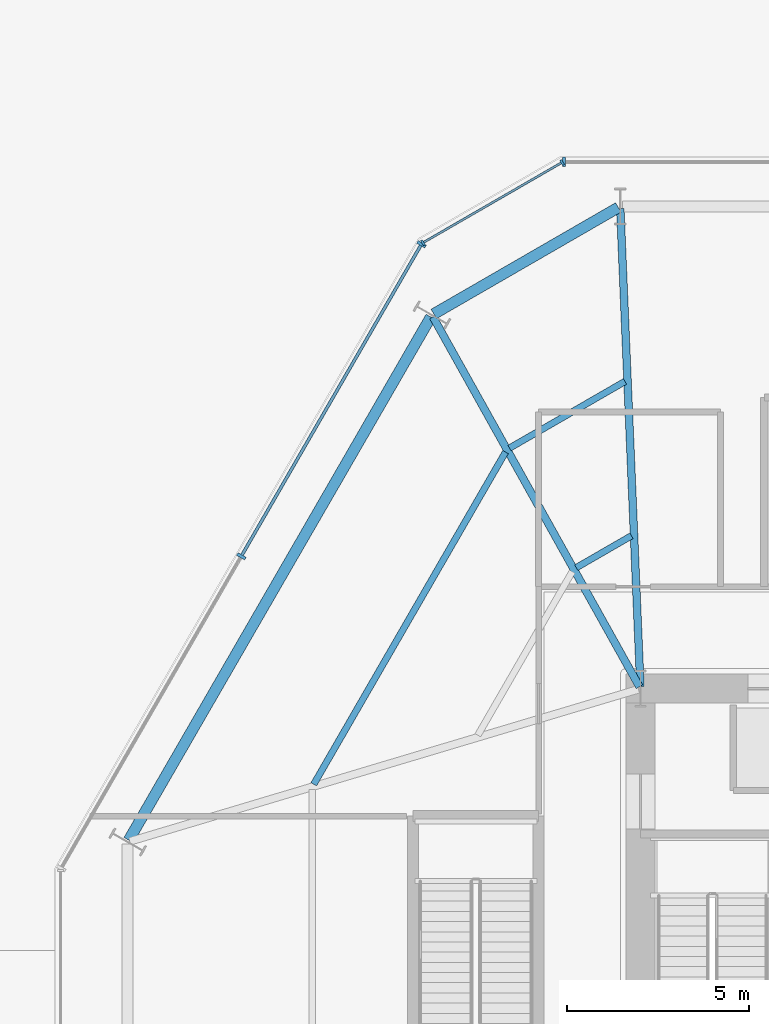
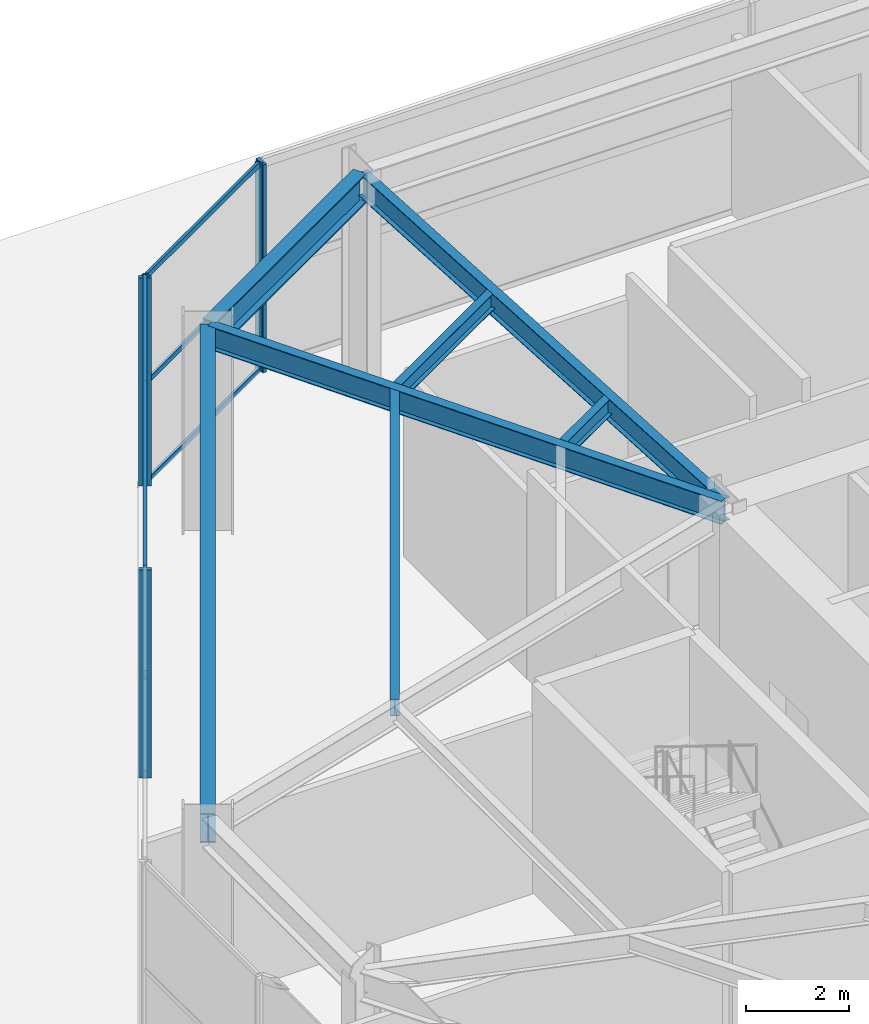
# One storey, part 12 of 26: 11 members, 7 beams, 3 elements without a shape of their own.
"""IFC4 building model written with IfcOpenShell, lengths in metres."""

from ifc_helpers import new_model, si_unit, direction, frame, origin, origin_2d, place, context, subcontext, project, spatial, rectangle, i_section, extrude, material, layer, layer_set, material_profile, profile_set, type_object, element, aggregate, save


model = new_model("IFC4")

# Units and contexts
model_context = context("Model", 3, precision=1e-05, world=origin(), true_north=direction((0.0, 1.0)))
body_context = subcontext(model_context, "Body", "Model", "MODEL_VIEW")
ifc_project = project(units=[si_unit("LENGTHUNIT", "METRE"), si_unit("AREAUNIT", "SQUARE_METRE"), si_unit("VOLUMEUNIT", "CUBIC_METRE"), si_unit("PLANEANGLEUNIT", "RADIAN"), si_unit("MASSUNIT", "GRAM", prefix="KILO")], contexts=[model_context])

# Site, building, storey
site_placement = place(None, origin())
site = spatial("IfcSite", under=ifc_project, at=site_placement, CompositionType="ELEMENT")
building_placement = place(site_placement, origin())
building = spatial("IfcBuilding", under=site, at=building_placement, Name="Kranzbogen Civic Tower", CompositionType="ELEMENT")
storey_placement = place(building_placement, origin())
storey = spatial("IfcBuildingStorey", under=building, at=storey_placement, Name="L00", CompositionType="ELEMENT", Elevation=0.0)

# Curtain wall, members
ifc_material_1 = material(Name="Pale Anodised Aluminium", Category="aluminium")
ifc_layer_1 = layer(ifc_material_1, 0.219970703125, Name="Pale Anodised Aluminium")
ifc_layer_set_1 = layer_set([ifc_layer_1], Name="Pale Anodised Aluminium")
curtain_wall_type_1 = type_object("IfcCurtainWallType", Name="Chamfer Facet Stick Curtain Wall System CW-06", PredefinedType="USERDEFINED", material=ifc_layer_set_1)
curtain_wall_1_placement = place(storey_placement, origin())
curtain_wall_1 = element("IfcCurtainWall", 1, at=curtain_wall_1_placement, inside=storey, type_object=curtain_wall_type_1, Name="L00 curtain wall CW-L00-C2", ObjectType="STICK CURTAIN WALL", PredefinedType="USERDEFINED")
ifc_material_profile_1 = material_profile(ifc_material_1, rectangle(XDim=0.06005859375, YDim=0.159912109375, at=origin_2d()), Name="ALU-M 60x160")
ifc_profile_set_1 = profile_set([ifc_material_profile_1], Name="Pale Anodised Aluminium")
member_type_1 = type_object("IfcMemberType", Name="Curtain Wall Mullion ALU-M 60x160", PredefinedType="MULLION", material=ifc_profile_set_1)
member_1_placement = place(storey_placement, frame((15.0439453125, 46.657958984375, 0.0), z_axis=(0.0, 0.0, 1.0), x_axis=(-0.865992001897, -0.500057849305, 0.0)))
member_1 = element("IfcMember", 2, at=member_1_placement, type_object=member_type_1, Name="CW-06 mullion 1", PredefinedType="MULLION", context=body_context, shape_type="SweptSolid", body=[
    extrude(rectangle(XDim=0.06005859375, YDim=0.159912109375, at=origin_2d()), origin(), (0.0, 0.0, 1.0), 4.93994140625),
])
member_2_placement = place(storey_placement, frame((11.221923828125, 44.450927734375, 0.0), z_axis=(0.0, 0.0, 1.0), x_axis=(-0.865992001897, -0.500057849305, 0.0)))
member_2 = element("IfcMember", 3, at=member_2_placement, type_object=member_type_1, Name="CW-06 mullion 2", PredefinedType="MULLION", context=body_context, shape_type="SweptSolid", body=[
    extrude(rectangle(XDim=0.06005859375, YDim=0.159912109375, at=origin_2d()), origin(), (0.0, 0.0, 1.0), 4.93994140625),
])

# Curtain wall, member
ifc_layer_2 = layer(ifc_material_1, 0.219970703125, Name="Pale Anodised Aluminium")
ifc_layer_set_2 = layer_set([ifc_layer_2], Name="Pale Anodised Aluminium")
curtain_wall_type_2 = type_object("IfcCurtainWallType", Name="Podium Stick Curtain Wall System CW-01", PredefinedType="USERDEFINED", material=ifc_layer_set_2)
curtain_wall_2_placement = place(storey_placement, origin())
curtain_wall_2 = element("IfcCurtainWall", 4, at=curtain_wall_2_placement, inside=storey, type_object=curtain_wall_type_2, Name="L00 curtain wall CW-L00-F2-S2", ObjectType="STICK CURTAIN WALL", PredefinedType="USERDEFINED")
ifc_material_profile_2 = material_profile(ifc_material_1, rectangle(XDim=0.0849609375, YDim=0.260009765625, at=origin_2d()), Name="ALU-M 85x260")
ifc_profile_set_2 = profile_set([ifc_material_profile_2], Name="Pale Anodised Aluminium")
member_type_2 = type_object("IfcMemberType", Name="Curtain Wall Mullion ALU-M 85x260", PredefinedType="MULLION", material=ifc_profile_set_2)
member_3_placement = place(storey_placement, frame((15.10009765625, 46.673095703125, 0.0), z_axis=(0.0, 0.0, 1.0), x_axis=(-1.0, 0.0, 0.0)))
member_3 = element("IfcMember", 5, at=member_3_placement, type_object=member_type_2, Name="CW-01 mullion 2", PredefinedType="MULLION", context=body_context, shape_type="SweptSolid", body=[
    extrude(rectangle(XDim=0.0849609375, YDim=0.260009765625, at=origin_2d()), origin(), (0.0, 0.0, 1.0), 4.93994140625),
])
aggregate(curtain_wall_2, [member_3])

# Curtain wall, members
curtain_wall_3_placement = place(storey_placement, origin())
curtain_wall_3 = element("IfcCurtainWall", 6, at=curtain_wall_3_placement, inside=storey, type_object=curtain_wall_type_2, Name="L00 curtain wall CW-L00-F3", ObjectType="STICK CURTAIN WALL", PredefinedType="USERDEFINED")
member_4_placement = place(storey_placement, frame((11.180908203125, 44.409912109375, 0.0), z_axis=(0.0, 0.0, 1.0), x_axis=(-0.500005767433, -0.86602207393, 0.0)))
member_4 = element("IfcMember", 7, at=member_4_placement, type_object=member_type_2, Name="CW-01 mullion 1", PredefinedType="MULLION", context=body_context, shape_type="SweptSolid", body=[
    extrude(rectangle(XDim=0.0849609375, YDim=0.260009765625, at=origin_2d()), origin(), (0.0, 0.0, 1.0), 4.93994140625),
])
member_5_placement = place(storey_placement, frame((6.23095703125, 35.83642578125, 0.0), z_axis=(0.0, 0.0, 1.0), x_axis=(-0.500005767433, -0.86602207393, 0.0)))
member_5 = element("IfcMember", 8, at=member_5_placement, type_object=member_type_2, Name="CW-01 mullion 2", PredefinedType="MULLION", context=body_context, shape_type="SweptSolid", body=[
    extrude(rectangle(XDim=0.0849609375, YDim=0.260009765625, at=origin_2d()), origin(), (0.0, 0.0, 1.0), 4.93994140625),
])

# Member
ifc_material_profile_3 = material_profile(ifc_material_1, rectangle(XDim=0.06005859375, YDim=0.1201171875, at=origin_2d()), Name="ALU-T 60x120")
ifc_profile_set_3 = profile_set([ifc_material_profile_3], Name="Pale Anodised Aluminium")
member_type_3 = type_object("IfcMemberType", Name="Curtain Wall Transom ALU-T 60x120", PredefinedType="USERDEFINED", material=ifc_profile_set_3)
member_6_placement = place(storey_placement, frame((15.01806640625, 46.64306640625, 0.030029296875), z_axis=(-0.865987588642, -0.500065492029, 0.0), x_axis=(0.500065492029, -0.865987588642, 0.0)))
member_6 = element("IfcMember", 9, at=member_6_placement, type_object=member_type_3, Name="CW-06 transom 1.1", ObjectType="TRANSOM", PredefinedType="USERDEFINED", context=body_context, shape_type="SweptSolid", body=[
    extrude(rectangle(XDim=0.06005859375, YDim=0.1201171875, at=origin_2d()), origin(), (0.0, 0.0, 1.0), 4.353515625),
])

member_7_placement = place(storey_placement, frame((15.01806640625, 46.64306640625, 2.39990234375), z_axis=(-0.865987588642, -0.500065492029, 0.0), x_axis=(0.500065492029, -0.865987588642, 0.0)))
member_7 = element("IfcMember", 10, at=member_7_placement, type_object=member_type_3, Name="CW-06 transom 1.2", ObjectType="TRANSOM", PredefinedType="USERDEFINED", context=body_context, shape_type="SweptSolid", body=[
    extrude(rectangle(XDim=0.06005859375, YDim=0.1201171875, at=origin_2d()), origin(), (0.0, 0.0, 1.0), 4.353515625),
])

member_8_placement = place(storey_placement, frame((15.01806640625, 46.64306640625, 4.909912109375), z_axis=(-0.865987588642, -0.500065492029, 0.0), x_axis=(0.500065492029, -0.865987588642, 0.0)))
member_8 = element("IfcMember", 11, at=member_8_placement, type_object=member_type_3, Name="CW-06 transom 1.3", ObjectType="TRANSOM", PredefinedType="USERDEFINED", context=body_context, shape_type="SweptSolid", body=[
    extrude(rectangle(XDim=0.06005859375, YDim=0.1201171875, at=origin_2d()), origin(), (0.0, 0.0, 1.0), 4.353515625),
])

aggregate(curtain_wall_1, [member_1, member_2, member_6, member_7, member_8])

ifc_material_profile_4 = material_profile(ifc_material_1, rectangle(XDim=0.0849609375, YDim=0.195068359375, at=origin_2d()), Name="ALU-T 85x195")
ifc_profile_set_4 = profile_set([ifc_material_profile_4], Name="Pale Anodised Aluminium")
member_type_4 = type_object("IfcMemberType", Name="Curtain Wall Transom ALU-T 85x195", PredefinedType="USERDEFINED", material=ifc_profile_set_4)
member_9_placement = place(storey_placement, frame((11.166015625, 44.384033203125, 0.030029296875), z_axis=(-0.500003092839, -0.866023618125, 0.0), x_axis=(0.866023618125, -0.500003092839, 0.0)))
member_9 = element("IfcMember", 12, at=member_9_placement, type_object=member_type_4, Name="CW-01 transom 1.1", ObjectType="TRANSOM", PredefinedType="USERDEFINED", context=body_context, shape_type="SweptSolid", body=[
    extrude(rectangle(XDim=0.0849609375, YDim=0.195068359375, at=origin_2d()), origin(), (0.0, 0.0, 1.0), 9.83984375),
])

member_10_placement = place(storey_placement, frame((11.166015625, 44.384033203125, 2.39990234375), z_axis=(-0.500003092839, -0.866023618125, 0.0), x_axis=(0.866023618125, -0.500003092839, 0.0)))
member_10 = element("IfcMember", 13, at=member_10_placement, type_object=member_type_4, Name="CW-01 transom 1.2", ObjectType="TRANSOM", PredefinedType="USERDEFINED", context=body_context, shape_type="SweptSolid", body=[
    extrude(rectangle(XDim=0.0849609375, YDim=0.195068359375, at=origin_2d()), origin(), (0.0, 0.0, 1.0), 9.83984375),
])

member_11_placement = place(storey_placement, frame((11.166015625, 44.384033203125, 4.909912109375), z_axis=(-0.500003092839, -0.866023618125, 0.0), x_axis=(0.866023618125, -0.500003092839, 0.0)))
member_11 = element("IfcMember", 14, at=member_11_placement, type_object=member_type_4, Name="CW-01 transom 1.3", ObjectType="TRANSOM", PredefinedType="USERDEFINED", context=body_context, shape_type="SweptSolid", body=[
    extrude(rectangle(XDim=0.0849609375, YDim=0.195068359375, at=origin_2d()), origin(), (0.0, 0.0, 1.0), 9.83984375),
])

aggregate(curtain_wall_3, [member_4, member_5, member_9, member_10, member_11])

# Beams
ifc_material_2 = material(Name="Steel S355", Category="steel")
ifc_material_profile_5 = material_profile(ifc_material_2, i_section(OverallWidth=0.300048828125, OverallDepth=0.699951171875, WebThickness=0.01708984375, FlangeThickness=0.031982421875, at=origin_2d()), Name="HEB 700")
ifc_profile_set_5 = profile_set([ifc_material_profile_5], Name="Steel S355")
beam_type_1 = type_object("IfcBeamType", Name="Perimeter Tube Spandrel Beam HEB 700", PredefinedType="SPANDREL", material=ifc_profile_set_5)
beam_1_placement = place(storey_placement, frame((16.589111328125, 45.419921875, 4.590087890625), z_axis=(-0.86602927387, -0.499993296755, 0.0), x_axis=(0.499993296755, -0.86602927387, 0.0)))
element("IfcBeam", 15, at=beam_1_placement, inside=storey, type_object=beam_type_1, Name="L00 perimeter spandrel beam 10", PredefinedType="SPANDREL", context=body_context, shape_type="SweptSolid", body=[
    extrude(i_section(OverallWidth=0.300048828125, OverallDepth=0.699951171875, WebThickness=0.01708984375, FlangeThickness=0.031982421875, at=origin_2d()), origin(), (0.0, 0.0, 1.0), 5.85205078125),
])
beam_2_placement = place(storey_placement, frame((11.43896484375, 42.412109375, 4.590087890625), z_axis=(-0.500010210561, -0.866019508634, 0.0), x_axis=(0.866019508634, -0.500010210561, 0.0)))
element("IfcBeam", 16, at=beam_2_placement, inside=storey, type_object=beam_type_1, Name="L00 perimeter spandrel beam 11", PredefinedType="SPANDREL", context=body_context, shape_type="SweptSolid", body=[
    extrude(i_section(OverallWidth=0.300048828125, OverallDepth=0.699951171875, WebThickness=0.01708984375, FlangeThickness=0.031982421875, at=origin_2d()), origin(), (0.0, 0.0, 1.0), 16.597900390625),
])
ifc_material_profile_6 = material_profile(ifc_material_2, i_section(OverallWidth=0.2099609375, OverallDepth=0.550048828125, WebThickness=0.010986328125, FlangeThickness=0.01708984375, at=origin_2d()), Name="IPE 550")
ifc_profile_set_6 = profile_set([ifc_material_profile_6], Name="Steel S355")
beam_type_2 = type_object("IfcBeamType", Name="Radial Tower Floor Girder IPE 550", PredefinedType="BEAM", material=ifc_profile_set_6)
beam_3_placement = place(storey_placement, frame((16.64404296875, 45.389892578125, 4.6650390625), z_axis=(0.04207872602, -0.999114298174, 0.0), x_axis=(0.999114298174, 0.04207872602, 0.0)))
element("IfcBeam", 17, at=beam_3_placement, inside=storey, type_object=beam_type_2, Name="L00 radial floor girder 10", PredefinedType="BEAM", context=body_context, shape_type="SweptSolid", body=[
    extrude(i_section(OverallWidth=0.2099609375, OverallDepth=0.550048828125, WebThickness=0.010986328125, FlangeThickness=0.01708984375, at=origin_2d()), origin(), (0.0, 0.0, 1.0), 13.1416015625),
])
beam_4_placement = place(storey_placement, frame((11.498046875, 42.412109375, 4.6650390625), z_axis=(0.487501570266, -0.87312211001, 0.0), x_axis=(0.87312211001, 0.487501570266, 0.0)))
element("IfcBeam", 18, at=beam_4_placement, inside=storey, type_object=beam_type_2, Name="L00 radial floor girder 11", PredefinedType="BEAM", context=body_context, shape_type="SweptSolid", body=[
    extrude(i_section(OverallWidth=0.2099609375, OverallDepth=0.550048828125, WebThickness=0.010986328125, FlangeThickness=0.01708984375, at=origin_2d()), origin(), (0.0, 0.0, 1.0), 11.636474609375),
])
ifc_material_profile_7 = material_profile(ifc_material_2, i_section(OverallWidth=0.179931640625, OverallDepth=0.39990234375, WebThickness=0.008544921875, FlangeThickness=0.013427734375, at=origin_2d()), Name="IPE 400")
ifc_profile_set_7 = profile_set([ifc_material_profile_7], Name="Steel S355")
beam_type_3 = type_object("IfcBeamType", Name="Secondary Composite Floor Joist IPE 400", PredefinedType="JOIST", material=ifc_profile_set_7)
beam_5_placement = place(storey_placement, frame((16.77294921875, 40.639892578125, 4.739990234375), z_axis=(-0.866081244924, -0.499903267833, 0.0), x_axis=(0.499903267833, -0.866081244924, 0.0)))
element("IfcBeam", 19, at=beam_5_placement, inside=storey, type_object=beam_type_3, Name="L00 secondary floor joist 1.10", PredefinedType="JOIST", context=body_context, shape_type="SweptSolid", body=[
    extrude(i_section(OverallWidth=0.179931640625, OverallDepth=0.39990234375, WebThickness=0.008544921875, FlangeThickness=0.013427734375, at=origin_2d()), origin(), (0.0, 0.0, 1.0), 3.662353515625),
])
beam_6_placement = place(storey_placement, frame((16.951904296875, 36.39990234375, 4.739990234375), z_axis=(-0.86596970562, -0.500096459644, 0.0), x_axis=(0.500096459644, -0.86596970562, 0.0)))
element("IfcBeam", 20, at=beam_6_placement, inside=storey, type_object=beam_type_3, Name="L00 secondary floor joist 2.10", PredefinedType="JOIST", context=body_context, shape_type="SweptSolid", body=[
    extrude(i_section(OverallWidth=0.179931640625, OverallDepth=0.39990234375, WebThickness=0.008544921875, FlangeThickness=0.013427734375, at=origin_2d()), origin(), (0.0, 0.0, 1.0), 1.751708984375),
])
beam_7_placement = place(storey_placement, frame((13.491943359375, 38.699951171875, 4.739990234375), z_axis=(-0.500000488781, -0.866025121586, 0.0), x_axis=(0.866025121586, -0.500000488781, 0.0)))
element("IfcBeam", 21, at=beam_7_placement, inside=storey, type_object=beam_type_3, Name="L00 secondary floor joist 1.11", PredefinedType="JOIST", context=body_context, shape_type="SweptSolid", body=[
    extrude(i_section(OverallWidth=0.179931640625, OverallDepth=0.39990234375, WebThickness=0.008544921875, FlangeThickness=0.013427734375, at=origin_2d()), origin(), (0.0, 0.0, 1.0), 10.5400390625),
])

save(model, "model.ifc")
